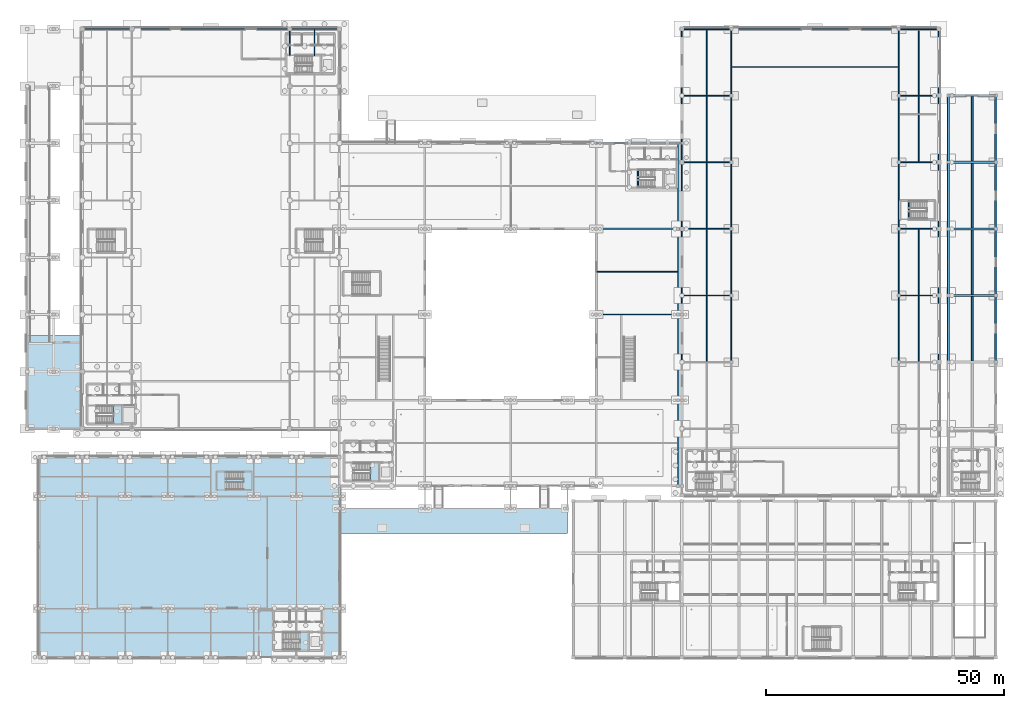
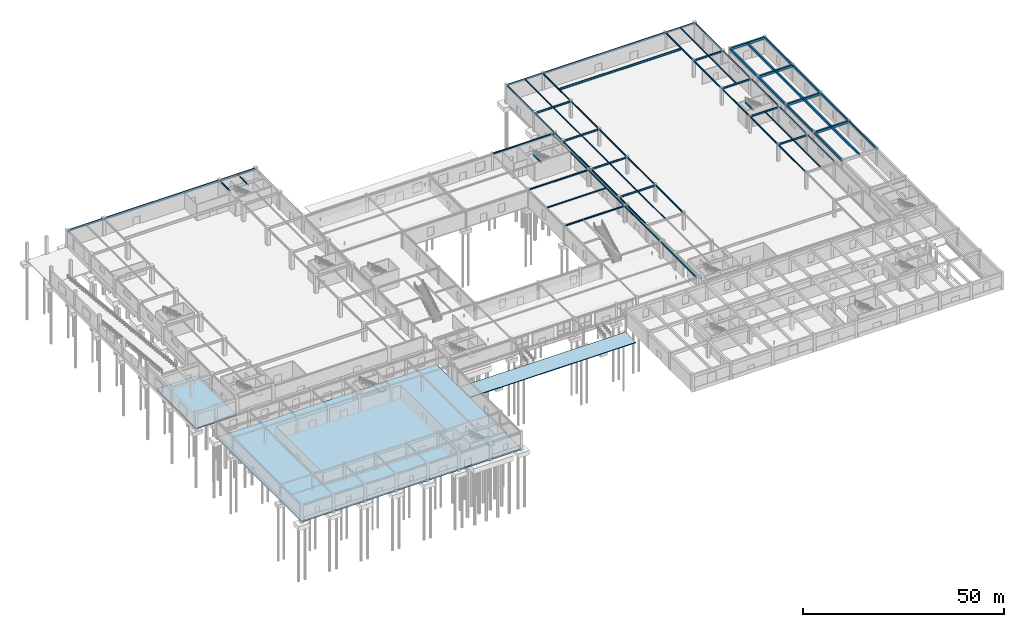
# One storey, part 20 of 53: 69 beams, 7 slabs, 4 elements without a shape of their own.
"""IFC4 building model written with IfcOpenShell, lengths in metres."""

from ifc_helpers import new_model, si_unit, derived_unit, direction, frame, origin, origin_2d, place, context, subcontext, project, spatial, polyline, rectangle, i_section, outline, extrude, material, layer, layer_set, material_profile, profile_set, type_object, element, aggregate, save


model = new_model("IFC4")

# Units and contexts
model_context = context("Model", 3, precision=1e-05, world=origin(), true_north=direction((0.0, 1.0)))
body_context = subcontext(model_context, "Body", "Model", "MODEL_VIEW")
ifc_project = project(units=[si_unit("LENGTHUNIT", "METRE"), si_unit("AREAUNIT", "SQUARE_METRE"), si_unit("VOLUMEUNIT", "CUBIC_METRE"), si_unit("PLANEANGLEUNIT", "RADIAN"), si_unit("MASSUNIT", "GRAM", prefix="KILO"), derived_unit("THERMALTRANSMITTANCEUNIT", [(si_unit("POWERUNIT", "WATT"), 1), (si_unit("LENGTHUNIT", "METRE"), -2), (si_unit("THERMODYNAMICTEMPERATUREUNIT", "KELVIN"), -1)])], contexts=[model_context])

# Site, building, storey
site_placement = place(None, origin())
site = spatial("IfcSite", under=ifc_project, at=site_placement, CompositionType="ELEMENT")
building_placement = place(site_placement, origin())
building = spatial("IfcBuilding", under=site, at=building_placement, Name="Almenara Railside Exhibition Hall", CompositionType="ELEMENT")
storey_placement = place(building_placement, origin())
storey = spatial("IfcBuildingStorey", under=building, at=storey_placement, Name="L00", CompositionType="ELEMENT", Elevation=0.0)

# Beams
ifc_material_1 = material(Name="Concrete C35/45", Category="concrete")
ifc_material_profile_1 = material_profile(ifc_material_1, rectangle(XDim=0.449951171875, YDim=0.699951171875, at=origin_2d()), Name="RC 450x700")
ifc_profile_set_1 = profile_set([ifc_material_profile_1], Name="Concrete C35/45")
beam_type_1 = type_object("IfcBeamType", Name="RC Floor Beam 450x700 C35/45", PredefinedType="BEAM", material=ifc_profile_set_1)
for number, where, z_axis, x_axis, name in (
    (1, (194.0, 76.0, 4.7900390625), (1.0, 0.0, 0.0), (0.0, 1.0, 0.0), "Beam 0416"),
    (2, (194.0, 90.0, 4.7900390625), (1.0, 0.0, 0.0), (0.0, 1.0, 0.0), "Beam 0417"),
    (3, (194.0, 104.0, 4.7900390625), (1.0, 0.0, 0.0), (0.0, 1.0, 0.0), "Beam 0418"),
    (4, (194.0, 118.0, 4.7900390625), (1.0, 0.0, 0.0), (0.0, 1.0, 0.0), "Beam 0419"),
):
    element("IfcBeam", number, at=place(storey_placement, frame(where, z_axis=z_axis, x_axis=x_axis)), inside=storey, type_object=beam_type_1, Name=name, PredefinedType="BEAM", context=body_context, shape_type="SweptSolid", body=[
        extrude(rectangle(XDim=0.449951171875, YDim=0.699951171875, at=origin_2d()), origin(), (0.0, 0.0, 1.0), 10.0),
    ])
ifc_material_profile_2 = material_profile(ifc_material_1, rectangle(XDim=0.39990234375, YDim=0.60009765625, at=origin_2d()), Name="RC 400x600")
ifc_profile_set_2 = profile_set([ifc_material_profile_2], Name="Concrete C35/45")
beam_type_2 = type_object("IfcBeamType", Name="RC Secondary Beam 400x600 C35/45", PredefinedType="BEAM", material=ifc_profile_set_2)
for number, where, z_axis, x_axis, name in (
    (5, (194.0, 62.0, 4.840087890625), (0.0, 1.0, 0.0), (-1.0, 0.0, 0.0), "Beam 0422"),
    (6, (194.0, 76.0, 4.840087890625), (0.0, 1.0, 0.0), (-1.0, 0.0, 0.0), "Beam 0423"),
    (7, (194.0, 90.0, 4.840087890625), (0.0, 1.0, 0.0), (-1.0, 0.0, 0.0), "Beam 0424"),
    (8, (194.0, 104.0, 4.840087890625), (0.0, 1.0, 0.0), (-1.0, 0.0, 0.0), "Beam 0425"),
):
    element("IfcBeam", number, at=place(storey_placement, frame(where, z_axis=z_axis, x_axis=x_axis)), inside=storey, type_object=beam_type_2, Name=name, PredefinedType="BEAM", context=body_context, shape_type="SweptSolid", body=[
        extrude(rectangle(XDim=0.39990234375, YDim=0.60009765625, at=origin_2d()), origin(), (0.0, 0.0, 1.0), 14.0),
    ])
for number, where, z_axis, x_axis, name in (
    (9, (199.0, 62.22509765625, 4.840087890625), (0.0, 1.0, 0.0), (-1.0, 0.0, 0.0), "Beam 0429"),
    (10, (199.0, 76.22509765625, 4.840087890625), (0.0, 1.0, 0.0), (-1.0, 0.0, 0.0), "Beam 0430"),
    (11, (199.0, 90.22509765625, 4.840087890625), (0.0, 1.0, 0.0), (-1.0, 0.0, 0.0), "Beam 0431"),
    (12, (199.0, 104.22509765625, 4.840087890625), (0.0, 1.0, 0.0), (-1.0, 0.0, 0.0), "Beam 0432"),
):
    element("IfcBeam", number, at=place(storey_placement, frame(where, z_axis=z_axis, x_axis=x_axis)), inside=storey, type_object=beam_type_2, Name=name, PredefinedType="BEAM", context=body_context, shape_type="SweptSolid", body=[
        extrude(rectangle(XDim=0.39990234375, YDim=0.60009765625, at=origin_2d()), origin(), (0.0, 0.0, 1.0), 13.5498046875),
    ])
for number, where, z_axis, x_axis, name in (
    (13, (204.0, 62.0, 4.840087890625), (0.0, 1.0, 0.0), (-1.0, 0.0, 0.0), "Beam 0435"),
    (14, (204.0, 76.0, 4.840087890625), (0.0, 1.0, 0.0), (-1.0, 0.0, 0.0), "Beam 0436"),
    (15, (204.0, 90.0, 4.840087890625), (0.0, 1.0, 0.0), (-1.0, 0.0, 0.0), "Beam 0437"),
    (16, (204.0, 104.0, 4.840087890625), (0.0, 1.0, 0.0), (-1.0, 0.0, 0.0), "Beam 0438"),
):
    element("IfcBeam", number, at=place(storey_placement, frame(where, z_axis=z_axis, x_axis=x_axis)), inside=storey, type_object=beam_type_2, Name=name, PredefinedType="BEAM", context=body_context, shape_type="SweptSolid", body=[
        extrude(rectangle(XDim=0.39990234375, YDim=0.60009765625, at=origin_2d()), origin(), (0.0, 0.0, 1.0), 14.0),
    ])
ifc_material_profile_3 = material_profile(ifc_material_1, rectangle(XDim=0.35009765625, YDim=0.5, at=origin_2d()), Name="RC 350x500")
ifc_profile_set_3 = profile_set([ifc_material_profile_3], Name="Concrete C35/45")
beam_type_3 = type_object("IfcBeamType", Name="RC Spandrel Tie Beam 350x500 C35/45", PredefinedType="SPANDREL", material=ifc_profile_set_3)
beam_1_placement = place(storey_placement, frame((128.75, 98.60009765625, 4.885986328125), z_axis=(0.0, 1.0, 0.0), x_axis=(-1.0, 0.0, 0.0)))
element("IfcBeam", 17, at=beam_1_placement, inside=storey, type_object=beam_type_3, Name="Stair trimmer ST-C8-L00", PredefinedType="SPANDREL", context=body_context, shape_type="SweptSolid", body=[
    extrude(rectangle(XDim=0.35009765625, YDim=0.5, at=origin_2d()), origin(), (0.0, 0.0, 1.0), 3.89990234375),
])
beam_2_placement = place(storey_placement, frame((185.75, 92.0, 4.889892578125), z_axis=(0.0, 1.0, 0.0), x_axis=(-1.0, 0.0, 0.0)))
element("IfcBeam", 18, at=beam_2_placement, inside=storey, type_object=beam_type_3, Name="Stair trimmer HST6-L00", PredefinedType="SPANDREL", context=body_context, shape_type="SweptSolid", body=[
    extrude(rectangle(XDim=0.35009765625, YDim=0.5, at=origin_2d()), origin(), (0.0, 0.0, 1.0), 3.949951171875),
])
ifc_material_2 = material(Name="Structural steel S355JR", Category="steel")
ifc_material_profile_4 = material_profile(ifc_material_2, i_section(OverallWidth=0.300048828125, OverallDepth=0.31005859375, WebThickness=0.009033203125, FlangeThickness=0.015380859375, FilletRadius=0.027099609375, at=origin_2d()), Name="HEA 320")
ifc_profile_set_4 = profile_set([ifc_material_profile_4], Name="Structural steel S355JR")
beam_type_4 = type_object("IfcBeamType", Name="Steel Concourse Edge Beam HEA 320 S355JR", PredefinedType="BEAM", material=ifc_profile_set_4)
beam_3_placement = place(storey_placement, frame((137.199951171875, 36.0, 4.98095703125), z_axis=(0.0, 1.0, 0.0), x_axis=(-1.0, 0.0, 0.0)))
element("IfcBeam", 19, at=beam_3_placement, inside=storey, type_object=beam_type_4, Name="Beam 0732", PredefinedType="BEAM", context=body_context, shape_type="SweptSolid", body=[
    extrude(i_section(OverallWidth=0.300048828125, OverallDepth=0.31005859375, WebThickness=0.009033203125, FlangeThickness=0.015380859375, FilletRadius=0.027099609375, at=origin_2d()), origin(), (0.0, 0.0, 1.0), 72.0),
])
ifc_material_profile_5 = material_profile(ifc_material_2, i_section(OverallWidth=0.300048828125, OverallDepth=0.389892578125, WebThickness=0.010986328125, FlangeThickness=0.01904296875, FilletRadius=0.027099609375, at=origin_2d()), Name="HEA 400")
ifc_profile_set_5 = profile_set([ifc_material_profile_5], Name="Structural steel S355JR")
beam_type_5 = type_object("IfcBeamType", Name="Steel Concourse Main Beam HEA 400 S355JR", PredefinedType="BEAM", material=ifc_profile_set_5)
for number, where, z_axis, x_axis, name in (
    (20, (120.0, 72.0, 4.94091796875), (1.0, 0.0, 0.0), (0.0, 1.0, 0.0), "Beam 0754"),
    (21, (120.0, 90.0, 4.94091796875), (1.0, 0.0, 0.0), (0.0, 1.0, 0.0), "Beam 0762"),
    (22, (120.0, 108.0, 4.94091796875), (1.0, 0.0, 0.0), (0.0, 1.0, 0.0), "Beam 0767"),
):
    element("IfcBeam", number, at=place(storey_placement, frame(where, z_axis=z_axis, x_axis=x_axis)), inside=storey, type_object=beam_type_5, Name=name, PredefinedType="BEAM", context=body_context, shape_type="SweptSolid", body=[
        extrude(i_section(OverallWidth=0.300048828125, OverallDepth=0.389892578125, WebThickness=0.010986328125, FlangeThickness=0.01904296875, FilletRadius=0.027099609375, at=origin_2d()), origin(), (0.0, 0.0, 1.0), 18.0),
    ])
ifc_material_profile_6 = material_profile(ifc_material_2, i_section(OverallWidth=0.19140625, OverallDepth=0.4599609375, WebThickness=0.010009765625, FlangeThickness=0.01611328125, FilletRadius=0.01025390625, at=origin_2d()), Name="UB 457x191x82")
ifc_profile_set_6 = profile_set([ifc_material_profile_6], Name="Structural steel S355JR")
beam_type_6 = type_object("IfcBeamType", Name="Steel Gallery Edge Beam UB 457x191x82 S355JR", PredefinedType="BEAM", material=ifc_profile_set_6)
for number, where, z_axis, x_axis, name in (
    (23, (138.0, 62.0, 4.906005859375), (0.0, 1.0, 0.0), (-1.0, 0.0, 0.0), "Beam 0683"),
    (24, (138.0, 76.0, 4.906005859375), (0.0, 1.0, 0.0), (-1.0, 0.0, 0.0), "Beam 0684"),
    (25, (138.0, 90.0, 4.906005859375), (0.0, 1.0, 0.0), (-1.0, 0.0, 0.0), "Beam 0685"),
    (26, (138.0, 104.0, 4.906005859375), (0.0, 1.0, 0.0), (-1.0, 0.0, 0.0), "Beam 0686"),
    (27, (138.0, 118.0, 4.909912109375), (0.0, 1.0, 0.0), (-1.0, 0.0, 0.0), "Beam 0687"),
    (28, (148.39990234375, 62.0, 4.909912109375), (0.0, 1.0, 0.0), (-1.0, 0.0, 0.0), "Beam 0699"),
    (29, (148.39990234375, 76.0, 4.909912109375), (0.0, 1.0, 0.0), (-1.0, 0.0, 0.0), "Beam 0700"),
    (30, (148.39990234375, 90.0, 4.909912109375), (0.0, 1.0, 0.0), (-1.0, 0.0, 0.0), "Beam 0701"),
    (31, (148.39990234375, 104.0, 4.909912109375), (0.0, 1.0, 0.0), (-1.0, 0.0, 0.0), "Beam 0702"),
    (32, (148.39990234375, 118.0, 4.909912109375), (0.0, 1.0, 0.0), (-1.0, 0.0, 0.0), "Beam 0703"),
    (33, (183.60009765625, 62.0, 4.909912109375), (0.0, 1.0, 0.0), (-1.0, 0.0, 0.0), "Beam 0706"),
    (34, (183.60009765625, 76.0, 4.909912109375), (0.0, 1.0, 0.0), (-1.0, 0.0, 0.0), "Beam 0707"),
    (35, (183.60009765625, 90.0, 4.909912109375), (0.0, 1.0, 0.0), (-1.0, 0.0, 0.0), "Beam 0708"),
    (36, (183.60009765625, 104.0, 4.909912109375), (0.0, 1.0, 0.0), (-1.0, 0.0, 0.0), "Beam 0709"),
    (37, (183.60009765625, 118.0, 4.909912109375), (0.0, 1.0, 0.0), (-1.0, 0.0, 0.0), "Beam 0710"),
    (38, (192.0, 62.0, 4.909912109375), (0.0, 1.0, 0.0), (-1.0, 0.0, 0.0), "Beam 0720"),
    (39, (192.0, 76.0, 4.909912109375), (0.0, 1.0, 0.0), (-1.0, 0.0, 0.0), "Beam 0721"),
    (40, (192.0, 90.0, 4.909912109375), (0.0, 1.0, 0.0), (-1.0, 0.0, 0.0), "Beam 0722"),
    (41, (192.0, 104.0, 4.909912109375), (0.0, 1.0, 0.0), (-1.0, 0.0, 0.0), "Beam 0723"),
    (42, (192.0, 118.0, 4.909912109375), (0.0, 1.0, 0.0), (-1.0, 0.0, 0.0), "Beam 0724"),
):
    element("IfcBeam", number, at=place(storey_placement, frame(where, z_axis=z_axis, x_axis=x_axis)), inside=storey, type_object=beam_type_6, Name=name, PredefinedType="BEAM", context=body_context, shape_type="SweptSolid", body=[
        extrude(i_section(OverallWidth=0.19140625, OverallDepth=0.4599609375, WebThickness=0.010009765625, FlangeThickness=0.01611328125, FilletRadius=0.01025390625, at=origin_2d()), origin(), (0.0, 0.0, 1.0), 14.0),
    ])
ifc_material_profile_7 = material_profile(ifc_material_2, i_section(OverallWidth=0.22900390625, OverallDepth=0.6123046875, WebThickness=0.011962890625, FlangeThickness=0.01953125, FilletRadius=0.0126953125, at=origin_2d()), Name="UB 610x229x125")
ifc_profile_set_7 = profile_set([ifc_material_profile_7], Name="Structural steel S355JR")
beam_type_7 = type_object("IfcBeamType", Name="Steel Gallery Girder UB 610x229x125 S355JR", PredefinedType="USERDEFINED", material=ifc_profile_set_7)
for number, where, z_axis, x_axis, name in (
    (43, (12.0, 132.0, 4.833984375), (1.0, 0.0, 0.0), (0.0, 1.0, 0.0), "Beam 0504"),
    (44, (55.60009765625, 132.0, 4.833984375), (1.0, 0.0, 0.0), (0.0, 1.0, 0.0), "Beam 0505"),
):
    element("IfcBeam", number, at=place(storey_placement, frame(where, z_axis=z_axis, x_axis=x_axis)), inside=storey, type_object=beam_type_7, Name=name, ObjectType="GIRDER", PredefinedType="USERDEFINED", context=body_context, shape_type="SweptSolid", body=[
        extrude(i_section(OverallWidth=0.22900390625, OverallDepth=0.6123046875, WebThickness=0.011962890625, FlangeThickness=0.01953125, FilletRadius=0.0126953125, at=origin_2d()), origin(), (0.0, 0.0, 1.0), 10.39990234375),
    ])
beam_4_placement = place(storey_placement, frame((148.49560546875, 124.0, 4.833984375), z_axis=(1.0, 0.0, 0.0), x_axis=(0.0, 1.0, 0.0)))
element("IfcBeam", 45, at=beam_4_placement, inside=storey, type_object=beam_type_7, Name="Beam 0679", ObjectType="GIRDER", PredefinedType="USERDEFINED", context=body_context, shape_type="SweptSolid", body=[
    extrude(i_section(OverallWidth=0.22900390625, OverallDepth=0.6123046875, WebThickness=0.011962890625, FlangeThickness=0.01953125, FilletRadius=0.0126953125, at=origin_2d()), origin(), (0.0, 0.0, 1.0), 35.0087890625),
])
beam_5_placement = place(storey_placement, frame((148.39990234375, 132.0, 4.833984375), z_axis=(1.0, 0.0, 0.0), x_axis=(0.0, 1.0, 0.0)))
element("IfcBeam", 46, at=beam_5_placement, inside=storey, type_object=beam_type_7, Name="Beam 0680", ObjectType="GIRDER", PredefinedType="USERDEFINED", context=body_context, shape_type="SweptSolid", body=[
    extrude(i_section(OverallWidth=0.22900390625, OverallDepth=0.6123046875, WebThickness=0.011962890625, FlangeThickness=0.01953125, FilletRadius=0.0126953125, at=origin_2d()), origin(), (0.0, 0.0, 1.0), 35.2001953125),
])
ifc_material_profile_8 = material_profile(ifc_material_2, i_section(OverallWidth=0.172119140625, OverallDepth=0.35791015625, WebThickness=0.008056640625, FlangeThickness=0.012939453125, FilletRadius=0.01025390625, at=origin_2d()), Name="UB 356x171x57")
ifc_profile_set_8 = profile_set([ifc_material_profile_8], Name="Structural steel S355JR")
beam_type_8 = type_object("IfcBeamType", Name="Steel Gallery Joist UB 356x171x57 S355JR", PredefinedType="JOIST", material=ifc_profile_set_8)
beam_6_placement = place(storey_placement, frame((60.800048828125, 126.419921875, 4.9609375), z_axis=(0.0, 1.0, 0.0), x_axis=(-1.0, 0.0, 0.0)))
element("IfcBeam", 47, at=beam_6_placement, inside=storey, type_object=beam_type_8, Name="Beam 0548", PredefinedType="JOIST", context=body_context, shape_type="SweptSolid", body=[
    extrude(i_section(OverallWidth=0.172119140625, OverallDepth=0.35791015625, WebThickness=0.008056640625, FlangeThickness=0.012939453125, FilletRadius=0.01025390625, at=origin_2d()), origin(), (0.0, 0.0, 1.0), 5.465576171875),
])
ifc_material_profile_9 = material_profile(ifc_material_2, i_section(OverallWidth=0.253662109375, OverallDepth=0.68359375, WebThickness=0.012451171875, FlangeThickness=0.01904296875, FilletRadius=0.01513671875, at=origin_2d()), Name="UB 686x254x140")
ifc_profile_set_9 = profile_set([ifc_material_profile_9], Name="Structural steel S355JR")
beam_type_9 = type_object("IfcBeamType", Name="Steel Heavy Deck Girder UB 686x254x140 S355JR", PredefinedType="USERDEFINED", material=ifc_profile_set_9)
beam_7_placement = place(storey_placement, frame((22.39990234375, 132.0, 4.79833984375), z_axis=(1.0, 0.0, 0.0), x_axis=(0.0, 1.0, 0.0)))
element("IfcBeam", 48, at=beam_7_placement, inside=storey, type_object=beam_type_9, Name="Beam 0509", ObjectType="GIRDER", PredefinedType="USERDEFINED", context=body_context, shape_type="SweptSolid", body=[
    extrude(i_section(OverallWidth=0.253662109375, OverallDepth=0.68359375, WebThickness=0.012451171875, FlangeThickness=0.01904296875, FilletRadius=0.01513671875, at=origin_2d()), origin(), (0.0, 0.0, 1.0), 33.2001953125),
])
ifc_material_profile_10 = material_profile(ifc_material_2, i_section(OverallWidth=0.210693359375, OverallDepth=0.53955078125, WebThickness=0.01171875, FlangeThickness=0.018798828125, FilletRadius=0.0126953125, at=origin_2d()), Name="UB 533x210x109")
ifc_profile_set_10 = profile_set([ifc_material_profile_10], Name="Structural steel S355JR")
beam_type_10 = type_object("IfcBeamType", Name="Steel Heavy Floor Beam UB 533x210x109 S355JR", PredefinedType="BEAM", material=ifc_profile_set_10)
beam_8_placement = place(storey_placement, frame((55.60009765625, 126.419921875, 4.870361328125), z_axis=(0.0, 1.0, 0.0), x_axis=(-1.0, 0.0, 0.0)))
element("IfcBeam", 49, at=beam_8_placement, inside=storey, type_object=beam_type_10, Name="Beam 0540", PredefinedType="BEAM", context=body_context, shape_type="SweptSolid", body=[
    extrude(i_section(OverallWidth=0.210693359375, OverallDepth=0.53955078125, WebThickness=0.01171875, FlangeThickness=0.018798828125, FilletRadius=0.0126953125, at=origin_2d()), origin(), (0.0, 0.0, 1.0), 5.580078125),
])
ifc_material_profile_11 = material_profile(ifc_material_2, i_section(OverallWidth=0.171142578125, OverallDepth=0.351318359375, WebThickness=0.007080078125, FlangeThickness=0.009765625, FilletRadius=0.01025390625, at=origin_2d()), Name="UB 356x171x45")
ifc_profile_set_11 = profile_set([ifc_material_profile_11], Name="Structural steel S355JR")
beam_type_11 = type_object("IfcBeamType", Name="Steel Mezzanine Joist UB 356x171x45 S355JR", PredefinedType="JOIST", material=ifc_profile_set_11)
beam_9_placement = place(storey_placement, frame((143.199951171875, 62.1044921875, 4.96435546875), z_axis=(0.0, 1.0, 0.0), x_axis=(-1.0, 0.0, 0.0)))
element("IfcBeam", 50, at=beam_9_placement, inside=storey, type_object=beam_type_11, Name="Beam 0691", PredefinedType="JOIST", context=body_context, shape_type="SweptSolid", body=[
    extrude(i_section(OverallWidth=0.171142578125, OverallDepth=0.351318359375, WebThickness=0.007080078125, FlangeThickness=0.009765625, FilletRadius=0.01025390625, at=origin_2d()), origin(), (0.0, 0.0, 1.0), 13.790771484375),
])
for number, where, z_axis, x_axis, name in (
    (51, (143.199951171875, 76.104736328125, 4.96435546875), (0.0, 1.0, 0.0), (-1.0, 0.0, 0.0), "Beam 0692"),
    (52, (143.199951171875, 90.104736328125, 4.96435546875), (0.0, 1.0, 0.0), (-1.0, 0.0, 0.0), "Beam 0693"),
    (53, (143.199951171875, 104.104736328125, 4.96435546875), (0.0, 1.0, 0.0), (-1.0, 0.0, 0.0), "Beam 0694"),
):
    element("IfcBeam", number, at=place(storey_placement, frame(where, z_axis=z_axis, x_axis=x_axis)), inside=storey, type_object=beam_type_11, Name=name, PredefinedType="JOIST", context=body_context, shape_type="SweptSolid", body=[
        extrude(i_section(OverallWidth=0.171142578125, OverallDepth=0.351318359375, WebThickness=0.007080078125, FlangeThickness=0.009765625, FilletRadius=0.01025390625, at=origin_2d()), origin(), (0.0, 0.0, 1.0), 13.79052734375),
    ])
for number, where, z_axis, x_axis, name in (
    (54, (143.199951171875, 118.104736328125, 4.96435546875), (0.0, 1.0, 0.0), (-1.0, 0.0, 0.0), "Beam 0695"),
    (55, (187.800048828125, 62.1044921875, 4.96435546875), (0.0, 1.0, 0.0), (-1.0, 0.0, 0.0), "Beam 0713"),
):
    element("IfcBeam", number, at=place(storey_placement, frame(where, z_axis=z_axis, x_axis=x_axis)), inside=storey, type_object=beam_type_11, Name=name, PredefinedType="JOIST", context=body_context, shape_type="SweptSolid", body=[
        extrude(i_section(OverallWidth=0.171142578125, OverallDepth=0.351318359375, WebThickness=0.007080078125, FlangeThickness=0.009765625, FilletRadius=0.01025390625, at=origin_2d()), origin(), (0.0, 0.0, 1.0), 13.790771484375),
    ])
for number, where, z_axis, x_axis, name in (
    (56, (187.800048828125, 76.104736328125, 4.96435546875), (0.0, 1.0, 0.0), (-1.0, 0.0, 0.0), "Beam 0714"),
    (57, (187.800048828125, 104.104736328125, 4.96435546875), (0.0, 1.0, 0.0), (-1.0, 0.0, 0.0), "Beam 0716"),
):
    element("IfcBeam", number, at=place(storey_placement, frame(where, z_axis=z_axis, x_axis=x_axis)), inside=storey, type_object=beam_type_11, Name=name, PredefinedType="JOIST", context=body_context, shape_type="SweptSolid", body=[
        extrude(i_section(OverallWidth=0.171142578125, OverallDepth=0.351318359375, WebThickness=0.007080078125, FlangeThickness=0.009765625, FilletRadius=0.01025390625, at=origin_2d()), origin(), (0.0, 0.0, 1.0), 13.79052734375),
    ])
beam_10_placement = place(storey_placement, frame((187.800048828125, 118.104736328125, 4.96435546875), z_axis=(0.0, 1.0, 0.0), x_axis=(-1.0, 0.0, 0.0)))
element("IfcBeam", 58, at=beam_10_placement, inside=storey, type_object=beam_type_11, Name="Beam 0717", PredefinedType="JOIST", context=body_context, shape_type="SweptSolid", body=[
    extrude(i_section(OverallWidth=0.171142578125, OverallDepth=0.351318359375, WebThickness=0.007080078125, FlangeThickness=0.009765625, FilletRadius=0.01025390625, at=origin_2d()), origin(), (0.0, 0.0, 1.0), 13.790771484375),
])
ifc_material_profile_12 = material_profile(ifc_material_2, i_section(OverallWidth=0.209228515625, OverallDepth=0.533203125, WebThickness=0.010009765625, FlangeThickness=0.015625, FilletRadius=0.0126953125, at=origin_2d()), Name="UB 533x210x92")
ifc_profile_set_12 = profile_set([ifc_material_profile_12], Name="Structural steel S355JR")
beam_type_12 = type_object("IfcBeamType", Name="Steel Primary Beam UB 533x210x92 S355JR", PredefinedType="BEAM", material=ifc_profile_set_12)
beam_11_placement = place(storey_placement, frame((138.0, 76.0, 4.87353515625), z_axis=(1.0, 0.0, 0.0), x_axis=(0.0, 1.0, 0.0)))
element("IfcBeam", 59, at=beam_11_placement, inside=storey, type_object=beam_type_12, Name="Beam 0667", PredefinedType="BEAM", context=body_context, shape_type="SweptSolid", body=[
    extrude(i_section(OverallWidth=0.209228515625, OverallDepth=0.533203125, WebThickness=0.010009765625, FlangeThickness=0.015625, FilletRadius=0.0126953125, at=origin_2d()), origin(), (0.0, 0.0, 1.0), 10.39990234375),
])
beam_12_placement = place(storey_placement, frame((183.60009765625, 76.0, 4.87353515625), z_axis=(1.0, 0.0, 0.0), x_axis=(0.0, 1.0, 0.0)))
element("IfcBeam", 60, at=beam_12_placement, inside=storey, type_object=beam_type_12, Name="Beam 0668", PredefinedType="BEAM", context=body_context, shape_type="SweptSolid", body=[
    extrude(i_section(OverallWidth=0.209228515625, OverallDepth=0.533203125, WebThickness=0.010009765625, FlangeThickness=0.015625, FilletRadius=0.0126953125, at=origin_2d()), origin(), (0.0, 0.0, 1.0), 8.39990234375),
])
beam_13_placement = place(storey_placement, frame((138.0, 90.0, 4.87353515625), z_axis=(1.0, 0.0, 0.0), x_axis=(0.0, 1.0, 0.0)))
element("IfcBeam", 61, at=beam_13_placement, inside=storey, type_object=beam_type_12, Name="Beam 0669", PredefinedType="BEAM", context=body_context, shape_type="SweptSolid", body=[
    extrude(i_section(OverallWidth=0.209228515625, OverallDepth=0.533203125, WebThickness=0.010009765625, FlangeThickness=0.015625, FilletRadius=0.0126953125, at=origin_2d()), origin(), (0.0, 0.0, 1.0), 10.39990234375),
])
beam_14_placement = place(storey_placement, frame((183.60009765625, 90.0, 4.87353515625), z_axis=(1.0, 0.0, 0.0), x_axis=(0.0, 1.0, 0.0)))
element("IfcBeam", 62, at=beam_14_placement, inside=storey, type_object=beam_type_12, Name="Beam 0670", PredefinedType="BEAM", context=body_context, shape_type="SweptSolid", body=[
    extrude(i_section(OverallWidth=0.209228515625, OverallDepth=0.533203125, WebThickness=0.010009765625, FlangeThickness=0.015625, FilletRadius=0.0126953125, at=origin_2d()), origin(), (0.0, 0.0, 1.0), 8.39990234375),
])
beam_15_placement = place(storey_placement, frame((138.0, 104.0, 4.87353515625), z_axis=(1.0, 0.0, 0.0), x_axis=(0.0, 1.0, 0.0)))
element("IfcBeam", 63, at=beam_15_placement, inside=storey, type_object=beam_type_12, Name="Beam 0671", PredefinedType="BEAM", context=body_context, shape_type="SweptSolid", body=[
    extrude(i_section(OverallWidth=0.209228515625, OverallDepth=0.533203125, WebThickness=0.010009765625, FlangeThickness=0.015625, FilletRadius=0.0126953125, at=origin_2d()), origin(), (0.0, 0.0, 1.0), 10.39990234375),
])
beam_16_placement = place(storey_placement, frame((183.60009765625, 104.0, 4.87353515625), z_axis=(1.0, 0.0, 0.0), x_axis=(0.0, 1.0, 0.0)))
element("IfcBeam", 64, at=beam_16_placement, inside=storey, type_object=beam_type_12, Name="Beam 0672", PredefinedType="BEAM", context=body_context, shape_type="SweptSolid", body=[
    extrude(i_section(OverallWidth=0.209228515625, OverallDepth=0.533203125, WebThickness=0.010009765625, FlangeThickness=0.015625, FilletRadius=0.0126953125, at=origin_2d()), origin(), (0.0, 0.0, 1.0), 8.39990234375),
])
beam_17_placement = place(storey_placement, frame((138.0, 118.0, 4.87353515625), z_axis=(1.0, 0.0, 0.0), x_axis=(0.0, 1.0, 0.0)))
element("IfcBeam", 65, at=beam_17_placement, inside=storey, type_object=beam_type_12, Name="Beam 0673", PredefinedType="BEAM", context=body_context, shape_type="SweptSolid", body=[
    extrude(i_section(OverallWidth=0.209228515625, OverallDepth=0.533203125, WebThickness=0.010009765625, FlangeThickness=0.015625, FilletRadius=0.0126953125, at=origin_2d()), origin(), (0.0, 0.0, 1.0), 10.39990234375),
])
beam_18_placement = place(storey_placement, frame((183.60009765625, 118.0, 4.87353515625), z_axis=(1.0, 0.0, 0.0), x_axis=(0.0, 1.0, 0.0)))
element("IfcBeam", 66, at=beam_18_placement, inside=storey, type_object=beam_type_12, Name="Beam 0674", PredefinedType="BEAM", context=body_context, shape_type="SweptSolid", body=[
    extrude(i_section(OverallWidth=0.209228515625, OverallDepth=0.533203125, WebThickness=0.010009765625, FlangeThickness=0.015625, FilletRadius=0.0126953125, at=origin_2d()), origin(), (0.0, 0.0, 1.0), 8.39990234375),
])
beam_19_placement = place(storey_placement, frame((138.0, 132.0, 4.87353515625), z_axis=(1.0, 0.0, 0.0), x_axis=(0.0, 1.0, 0.0)))
element("IfcBeam", 67, at=beam_19_placement, inside=storey, type_object=beam_type_12, Name="Beam 0675", PredefinedType="BEAM", context=body_context, shape_type="SweptSolid", body=[
    extrude(i_section(OverallWidth=0.209228515625, OverallDepth=0.533203125, WebThickness=0.010009765625, FlangeThickness=0.015625, FilletRadius=0.0126953125, at=origin_2d()), origin(), (0.0, 0.0, 1.0), 10.39990234375),
])
beam_20_placement = place(storey_placement, frame((183.60009765625, 132.0, 4.87353515625), z_axis=(1.0, 0.0, 0.0), x_axis=(0.0, 1.0, 0.0)))
element("IfcBeam", 68, at=beam_20_placement, inside=storey, type_object=beam_type_12, Name="Beam 0676", PredefinedType="BEAM", context=body_context, shape_type="SweptSolid", body=[
    extrude(i_section(OverallWidth=0.209228515625, OverallDepth=0.533203125, WebThickness=0.010009765625, FlangeThickness=0.015625, FilletRadius=0.0126953125, at=origin_2d()), origin(), (0.0, 0.0, 1.0), 8.39990234375),
])
ifc_material_profile_13 = material_profile(ifc_material_2, i_section(OverallWidth=0.177734375, OverallDepth=0.402587890625, WebThickness=0.0078125, FlangeThickness=0.010986328125, FilletRadius=0.01025390625, at=origin_2d()), Name="UB 406x178x54")
ifc_profile_set_13 = profile_set([ifc_material_profile_13], Name="Structural steel S355JR")
beam_type_13 = type_object("IfcBeamType", Name="Steel Secondary Joist UB 406x178x54 S355JR", PredefinedType="JOIST", material=ifc_profile_set_13)
beam_21_placement = place(storey_placement, frame((120.14990234375, 81.0, 4.934814453125), z_axis=(1.0, 0.0, 0.0), x_axis=(0.0, 1.0, 0.0)))
element("IfcBeam", 69, at=beam_21_placement, inside=storey, type_object=beam_type_13, Name="Beam 0755", PredefinedType="JOIST", context=body_context, shape_type="SweptSolid", body=[
    extrude(i_section(OverallWidth=0.177734375, OverallDepth=0.402587890625, WebThickness=0.0078125, FlangeThickness=0.010986328125, FilletRadius=0.01025390625, at=origin_2d()), origin(), (0.0, 0.0, 1.0), 16.900146484375),
])

# Slabs
ifc_layer_1 = layer(ifc_material_1, 0.22509765625, Name="Concrete C35/45")
ifc_layer_set_1 = layer_set([ifc_layer_1], Name="Concrete C35/45")
slab_type_1 = type_object("IfcSlabType", Name="Forecourt Approach Slab 225mm C35/45", PredefinedType="BASESLAB", material=ifc_layer_set_1)
slab_1_placement = place(storey_placement, frame((0.0, 0.0, -0.625)))
element("IfcSlab", 70, at=slab_1_placement, inside=storey, type_object=slab_type_1, Name="South Forecourt paved approach terrace 010", PredefinedType="BASESLAB", context=body_context, shape_type="SweptSolid", body=[
    extrude(outline(polyline([(66.0, 26.0), (114.0, 26.0), (114.0, 31.199951171875), (66.0, 31.199951171875), (66.0, 26.0)])), origin(), (0.0, 0.0, 1.0), 0.22509765625),
])
ifc_layer_2 = layer(ifc_material_1, 0.419921875, Name="Concrete C35/45")
ifc_layer_set_2 = layer_set([ifc_layer_2], Name="Concrete C35/45")
slab_type_2 = type_object("IfcSlabType", Name="Plenary Ground Bowl Slab 420mm C35/45", PredefinedType="BASESLAB", material=ifc_layer_set_2)
slab_2_placement = place(storey_placement, frame((0.0, 0.0, -0.419921875)))
element("IfcSlab", 71, at=slab_2_placement, inside=storey, type_object=slab_type_2, Name="Congress Plenary ground slab 004", PredefinedType="BASESLAB", context=body_context, shape_type="SweptSolid", body=[
    extrude(outline(polyline([(3.0, 0.0), (66.0, 0.0), (66.0, 42.0), (3.0, 42.0), (3.0, 0.0)])), origin(), (0.0, 0.0, 1.0), 0.419921875),
])

# Stair, slab
stair_type = type_object("IfcStairType", Name="Core Dog-Leg Escape Stair 1520mm", PredefinedType="TWO_STRAIGHT_RUN_STAIR", material=ifc_material_1)
stair_1_placement = place(storey_placement, origin())
stair_1 = element("IfcStair", 72, at=stair_1_placement, inside=storey, type_object=stair_type, Name="Escape stair ST-C1-L00", PredefinedType="TWO_STRAIGHT_RUN_STAIR")
ifc_layer_3 = layer(ifc_material_1, 0.199951171875, Name="Concrete C35/45")
ifc_layer_set_3 = layer_set([ifc_layer_3], Name="Concrete C35/45")
slab_type_3 = type_object("IfcSlabType", Name="Stair Half-Landing Slab 200mm C35/45", PredefinedType="LANDING", material=ifc_layer_set_3)
slab_3_placement = place(storey_placement, frame((0.0, 0.0, 2.5)))
slab_3 = element("IfcSlab", 73, at=slab_3_placement, type_object=slab_type_3, Name="ST-C1-L00 landing 1", PredefinedType="LANDING", context=body_context, shape_type="SweptSolid", body=[
    extrude(outline(polyline([(18.559814453125, 49.050048828125), (20.2900390625, 49.050048828125), (20.2900390625, 52.8798828125), (18.559814453125, 52.8798828125), (18.559814453125, 49.050048828125)])), origin(), (0.0, 0.0, 1.0), 0.199951171875),
])
aggregate(stair_1, [slab_3])

stair_2_placement = place(storey_placement, origin())
stair_2 = element("IfcStair", 74, at=stair_2_placement, inside=storey, type_object=stair_type, Name="Escape stair ST-C4-L00", PredefinedType="TWO_STRAIGHT_RUN_STAIR")
slab_4_placement = place(storey_placement, frame((0.0, 0.0, 2.5)))
slab_4 = element("IfcSlab", 75, at=slab_4_placement, type_object=slab_type_3, Name="ST-C4-L00 landing 1", PredefinedType="LANDING", context=body_context, shape_type="SweptSolid", body=[
    extrude(outline(polyline([(72.559814453125, 37.050048828125), (74.2900390625, 37.050048828125), (74.2900390625, 40.8798828125), (72.559814453125, 40.8798828125), (72.559814453125, 37.050048828125)])), origin(), (0.0, 0.0, 1.0), 0.199951171875),
])
aggregate(stair_2, [slab_4])

stair_3_placement = place(storey_placement, origin())
stair_3 = element("IfcStair", 76, at=stair_3_placement, inside=storey, type_object=stair_type, Name="Escape stair ST-C7-L00", PredefinedType="TWO_STRAIGHT_RUN_STAIR")
slab_5_placement = place(storey_placement, frame((0.0, 0.0, 2.5)))
slab_5 = element("IfcSlab", 77, at=slab_5_placement, type_object=slab_type_3, Name="ST-C7-L00 landing 1", PredefinedType="LANDING", context=body_context, shape_type="SweptSolid", body=[
    extrude(outline(polyline([(57.759765625, 1.449951171875), (59.489990234375, 1.449951171875), (59.489990234375, 5.280029296875), (57.759765625, 5.280029296875), (57.759765625, 1.449951171875)])), origin(), (0.0, 0.0, 1.0), 0.199951171875),
])
aggregate(stair_3, [slab_5])

stair_4_placement = place(storey_placement, origin())
stair_4 = element("IfcStair", 78, at=stair_4_placement, inside=storey, type_object=stair_type, Name="Escape stair HST5-L00", PredefinedType="TWO_STRAIGHT_RUN_STAIR")
slab_6_placement = place(storey_placement, frame((0.0, 0.0, 2.5)))
slab_6 = element("IfcSlab", 79, at=slab_6_placement, type_object=slab_type_3, Name="HST5-L00 landing 1", PredefinedType="LANDING", context=body_context, shape_type="SweptSolid", body=[
    extrude(outline(polyline([(45.889892578125, 35.14990234375), (47.639892578125, 35.14990234375), (47.639892578125, 39.030029296875), (45.889892578125, 39.030029296875), (45.889892578125, 35.14990234375)])), origin(), (0.0, 0.0, 1.0), 0.199951171875),
])
aggregate(stair_4, [slab_6])

# Slab
ifc_material_3 = material(Name="Concrete C40/50", Category="concrete")
ifc_layer_4 = layer(ifc_material_3, 0.3798828125, Name="Concrete C40/50")
ifc_layer_set_4 = layer_set([ifc_layer_4], Name="Concrete C40/50")
slab_type_4 = type_object("IfcSlabType", Name="Truck Apron Heavy Deck Slab 380mm C40/50", PredefinedType="FLOOR", material=ifc_layer_set_4)
slab_7_placement = place(storey_placement, frame((0.0, 0.0, -0.3798828125)))
element("IfcSlab", 80, at=slab_7_placement, inside=storey, type_object=slab_type_4, Name="Ground freight dock slab 008", PredefinedType="FLOOR", context=body_context, shape_type="SweptSolid", body=[
    extrude(outline(polyline([(0.39990234375, 48.0), (12.0, 48.0), (12.0, 67.60009765625), (0.39990234375, 67.60009765625), (0.39990234375, 48.0)])), origin(), (0.0, 0.0, 1.0), 0.3798828125),
])

save(model, "model.ifc")
